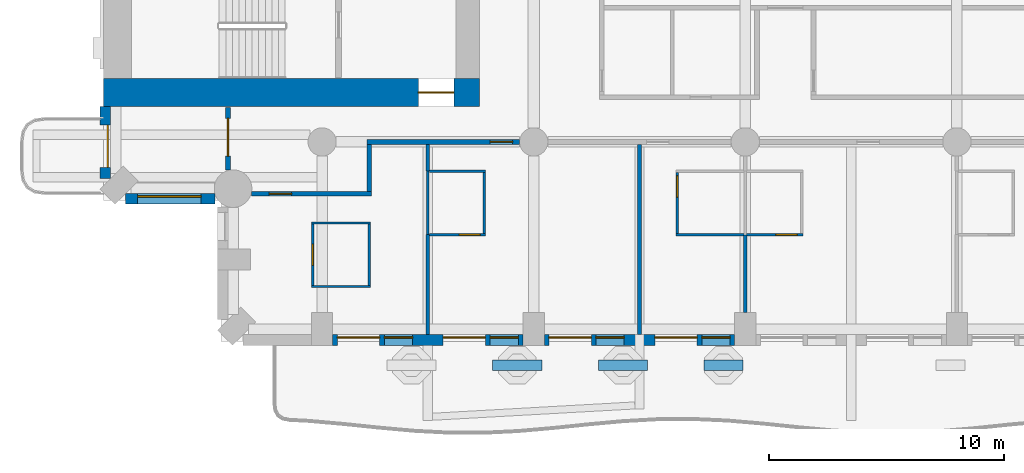
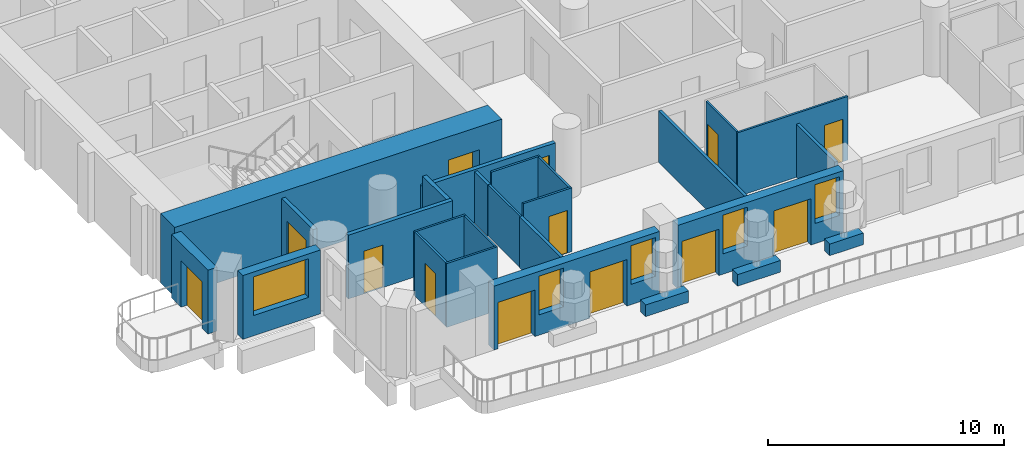
# One storey, part 3 of 20: 26 walls, 13 doors, 5 windows, 18 openings.
"""IFC4 building model written with IfcOpenShell, lengths in metres."""

from ifc_helpers import new_model, si_unit, direction, frame, frame_2d, origin, place, context, subcontext, project, spatial, rectangle, extrude, material, layer, layer_set, type_object, element, fill, save


model = new_model("IFC4")

# Units and contexts
model_context = context("Model", 3, precision=1e-05, world=origin(), true_north=direction((0.0, 1.0)))
body_context = subcontext(model_context, "Body", "Model", "MODEL_VIEW")
ifc_project = project(units=[si_unit("LENGTHUNIT", "METRE"), si_unit("AREAUNIT", "SQUARE_METRE"), si_unit("VOLUMEUNIT", "CUBIC_METRE"), si_unit("PLANEANGLEUNIT", "RADIAN"), si_unit("MASSUNIT", "GRAM", prefix="KILO")], contexts=[model_context])

# Site, building, storey
site_placement = place(None, origin())
site = spatial("IfcSite", under=ifc_project, at=site_placement, CompositionType="ELEMENT")
building_placement = place(site_placement, origin())
building = spatial("IfcBuilding", under=site, at=building_placement, Name="Cypress Arch Tower", CompositionType="ELEMENT")
storey_placement = place(building_placement, frame((0.0, 0.0, 87.89990234375)))
storey = spatial("IfcBuildingStorey", under=building, at=storey_placement, Name="L16", CompositionType="ELEMENT", Elevation=87.89990234375)

# Walls
ifc_material_1 = material(Name="Concrete C40/50, waterproofed", Category="concrete")
ifc_layer_1 = layer(ifc_material_1, 0.449951171875)
ifc_layer_set_1 = layer_set([ifc_layer_1], Name="Balcony planter wall PW450")
wall_type_1 = type_object("IfcWallType", Name="Balcony planter wall PW450", PredefinedType="SOLIDWALL", material=ifc_layer_set_1)
for number, where, z_axis, x_axis, name in (
    (1, (-13.449951171875, -27.0, 0.0), (0.0, 0.0, 1.0), (1.0, 0.0, 0.0), "Balcony planter wall L16-A03.2"),
    (2, (-8.949951171875, -27.0, 0.0), (0.0, 0.0, 1.0), (1.0, 0.0, 0.0), "Balcony planter wall L16-A03.3"),
):
    element("IfcWall", number, at=place(storey_placement, frame(where, z_axis=z_axis, x_axis=x_axis)), inside=storey, type_object=wall_type_1, Name=name, PredefinedType="SOLIDWALL", context=body_context, shape_type="SweptSolid", body=[
        extrude(rectangle(XDim=2.099853515625, YDim=0.449951171875, at=frame_2d((1.0498046875, 0.0))), origin(), (0.0, 0.0, 1.0), 0.60009765625),
    ])
wall_1_placement = place(storey_placement, frame((-4.449951171875, -27.0, 0.0), z_axis=(0.0, 0.0, 1.0), x_axis=(1.0, 0.0, 0.0)))
element("IfcWall", 3, at=wall_1_placement, inside=storey, type_object=wall_type_1, Name="Balcony planter wall L16-A03.4", PredefinedType="SOLIDWALL", context=body_context, shape_type="SweptSolid", body=[
    extrude(rectangle(XDim=1.64990234375, YDim=0.449951171875, at=frame_2d((0.824951171875, 0.0))), origin(), (0.0, 0.0, 1.0), 0.60009765625),
])

# Wall, opening, door
ifc_material_2 = material(Name="Brick (red buff blend)", Category="masonry")
ifc_layer_2 = layer(ifc_material_2, 0.449951171875)
ifc_layer_set_2 = layer_set([ifc_layer_2], Name="Brick pier and spandrel wall BW450")
wall_type_2 = type_object("IfcWallType", Name="Brick pier and spandrel wall BW450", PredefinedType="SOLIDWALL", material=ifc_layer_set_2)
wall_2_placement = place(storey_placement, frame((-29.925048828125, -16.0, 0.0), z_axis=(0.0, 0.0, 1.0), x_axis=(0.0, -1.0, 0.0)))
wall_2 = element("IfcWall", 4, at=wall_2_placement, inside=storey, type_object=wall_type_2, Name="Brick wall L16 A00.0.1", PredefinedType="SOLIDWALL", context=body_context, shape_type="SweptSolid", body=[
    extrude(rectangle(XDim=3.063720703125, YDim=0.449951171875, at=frame_2d((1.53173828125, 0.0))), origin(), (0.0, 0.0, 1.0), 3.300048828125),
])
opening_1_placement = place(wall_2_placement, frame((0.78173828125, 0.0, 0.0)))
opening_1 = element("IfcOpeningElement", 5, at=opening_1_placement, cuts=wall_2, Name="Opening D-L16-A00.0.1.9", PredefinedType="OPENING", context=body_context, shape_type="SweptSolid", body=[
    extrude(rectangle(XDim=1.800048828125, YDim=2.39990234375, at=frame_2d((0.89990234375, 1.199951171875))), frame((0.0, 0.23486328125, 0.0), z_axis=(0.0, -1.0, 0.0), x_axis=(1.0, 0.0, 0.0)), (0.0, 0.0, 1.0), 0.469970703125),
])
ifc_material_3 = material(Name="Anodised aluminium, bronze finish, laminated low-emissivity double glazing, large-missile impact rated", Category="aluminium")
door_type_1 = type_object("IfcDoorType", Name="Balcony sliding door 1800x2400", OperationType="SLIDING_TO_LEFT", PredefinedType="DOOR", material=ifc_material_3)
door_1_placement = place(opening_1_placement, origin())
door_1 = element("IfcDoor", 6, at=door_1_placement, inside=storey, type_object=door_type_1, Name="Balcony door L16 A00.0.1.9", OperationType="SLIDING_TO_LEFT", OverallHeight=2.39990234375, OverallWidth=1.800048828125, PredefinedType="DOOR", context=body_context, shape_type="SweptSolid", body=[
    extrude(rectangle(XDim=1.800048828125, YDim=2.39990234375, at=frame_2d((0.89990234375, 1.199951171875))), frame((0.0, 0.1298828125, 0.0), z_axis=(0.0, -1.0, 0.0), x_axis=(1.0, 0.0, 0.0)), (0.0, 0.0, 1.0), 0.050048828125),
])
fill(opening_1, door_1)

# Wall, opening, window
wall_3_placement = place(storey_placement, frame((-29.063720703125, -19.925048828125, 0.0), z_axis=(0.0, 0.0, 1.0), x_axis=(1.0, 0.0, 0.0)))
wall_3 = element("IfcWall", 7, at=wall_3_placement, inside=storey, type_object=wall_type_2, Name="Brick wall L16 A01.0", PredefinedType="SOLIDWALL", context=body_context, shape_type="SweptSolid", body=[
    extrude(rectangle(XDim=3.80517578125, YDim=0.449951171875, at=frame_2d((1.902587890625, 0.0))), origin(), (0.0, 0.0, 1.0), 3.300048828125),
])
opening_2_placement = place(wall_3_placement, frame((0.513671875, 0.0, 1.050048828125)))
opening_2 = element("IfcOpeningElement", 8, at=opening_2_placement, cuts=wall_3, Name="Opening W270H", PredefinedType="OPENING", context=body_context, shape_type="SweptSolid", body=[
    extrude(rectangle(XDim=2.699951171875, YDim=2.0, at=frame_2d((1.35009765625, 1.0))), frame((0.0, 0.23486328125, 0.0), z_axis=(0.0, -1.0, 0.0), x_axis=(1.0, 0.0, 0.0)), (0.0, 0.0, 1.0), 0.469970703125),
])
ifc_material_4 = material(Name="Anodised aluminium, bronze finish, clear low-emissivity double glazing", Category="aluminium")
window_type_1 = type_object("IfcWindowType", Name="Window Hotel 2700x2000", PartitioningType="SINGLE_PANEL", PredefinedType="WINDOW", material=ifc_material_4)
window_1_placement = place(opening_2_placement, origin())
window_1 = element("IfcWindow", 9, at=window_1_placement, inside=storey, type_object=window_type_1, Name="Window L16 A01.0.1", OverallHeight=2.0, OverallWidth=2.699951171875, PartitioningType="SINGLE_PANEL", PredefinedType="WINDOW", context=body_context, shape_type="SweptSolid", body=[
    extrude(rectangle(XDim=2.699951171875, YDim=2.0, at=frame_2d((1.35009765625, 1.0))), frame((0.0, 0.135009765625, 0.0), z_axis=(0.0, -1.0, 0.0), x_axis=(1.0, 0.0, 0.0)), (0.0, 0.0, 1.0), 0.06005859375),
])
fill(opening_2, window_1)

# Wall, openings, doors, windows
wall_4_placement = place(storey_placement, frame((-20.25, -25.925048828125, 0.0), z_axis=(0.0, 0.0, 1.0), x_axis=(1.0, 0.0, 0.0)))
wall_4 = element("IfcWall", 10, at=wall_4_placement, inside=storey, type_object=wall_type_2, Name="Brick wall L16 A03.1", PredefinedType="SOLIDWALL", context=body_context, shape_type="SweptSolid", body=[
    extrude(rectangle(XDim=8.10009765625, YDim=0.449951171875, at=frame_2d((4.050048828125, 0.0))), origin(), (0.0, 0.0, 1.0), 3.300048828125),
])
opening_3_placement = place(wall_4_placement, frame((0.199951171875, 0.0, 0.0)))
opening_3 = element("IfcOpeningElement", 11, at=opening_3_placement, cuts=wall_4, Name="Opening D-L16-A03.1.1", PredefinedType="OPENING", context=body_context, shape_type="SweptSolid", body=[
    extrude(rectangle(XDim=1.800048828125, YDim=2.39990234375, at=frame_2d((0.89990234375, 1.199951171875))), frame((0.0, 0.23486328125, 0.0), z_axis=(0.0, -1.0, 0.0), x_axis=(1.0, 0.0, 0.0)), (0.0, 0.0, 1.0), 0.469970703125),
])
opening_4_placement = place(wall_4_placement, frame((2.199951171875, 0.0, 1.050048828125)))
opening_4 = element("IfcOpeningElement", 12, at=opening_4_placement, cuts=wall_4, Name="Opening W120HD", PredefinedType="OPENING", context=body_context, shape_type="SweptSolid", body=[
    extrude(rectangle(XDim=1.199951171875, YDim=2.0, at=frame_2d((0.60009765625, 1.0))), frame((0.0, 0.23486328125, 0.0), z_axis=(0.0, -1.0, 0.0), x_axis=(1.0, 0.0, 0.0)), (0.0, 0.0, 1.0), 0.469970703125),
])
opening_5_placement = place(wall_4_placement, frame((4.699951171875, 0.0, 0.0)))
opening_5 = element("IfcOpeningElement", 13, at=opening_5_placement, cuts=wall_4, Name="Opening D-L16-A03.1.2", PredefinedType="OPENING", context=body_context, shape_type="SweptSolid", body=[
    extrude(rectangle(XDim=1.800048828125, YDim=2.39990234375, at=frame_2d((0.89990234375, 1.199951171875))), frame((0.0, 0.23486328125, 0.0), z_axis=(0.0, -1.0, 0.0), x_axis=(1.0, 0.0, 0.0)), (0.0, 0.0, 1.0), 0.469970703125),
])
opening_6_placement = place(wall_4_placement, frame((6.699951171875, 0.0, 1.050048828125)))
opening_6 = element("IfcOpeningElement", 14, at=opening_6_placement, cuts=wall_4, Name="Opening W120HD", PredefinedType="OPENING", context=body_context, shape_type="SweptSolid", body=[
    extrude(rectangle(XDim=1.199951171875, YDim=2.0, at=frame_2d((0.60009765625, 1.0))), frame((0.0, 0.23486328125, 0.0), z_axis=(0.0, -1.0, 0.0), x_axis=(1.0, 0.0, 0.0)), (0.0, 0.0, 1.0), 0.469970703125),
])
door_2_placement = place(opening_3_placement, origin())
door_2 = element("IfcDoor", 15, at=door_2_placement, inside=storey, type_object=door_type_1, Name="Balcony door L16 A03.1.1", OperationType="SLIDING_TO_LEFT", OverallHeight=2.39990234375, OverallWidth=1.800048828125, PredefinedType="DOOR", context=body_context, shape_type="SweptSolid", body=[
    extrude(rectangle(XDim=1.800048828125, YDim=2.39990234375, at=frame_2d((0.89990234375, 1.199951171875))), frame((0.0, 0.1298828125, 0.0), z_axis=(0.0, -1.0, 0.0), x_axis=(1.0, 0.0, 0.0)), (0.0, 0.0, 1.0), 0.050048828125),
])
fill(opening_3, door_2)
door_3_placement = place(opening_5_placement, origin())
door_3 = element("IfcDoor", 16, at=door_3_placement, inside=storey, type_object=door_type_1, Name="Balcony door L16 A03.1.2", OperationType="SLIDING_TO_LEFT", OverallHeight=2.39990234375, OverallWidth=1.800048828125, PredefinedType="DOOR", context=body_context, shape_type="SweptSolid", body=[
    extrude(rectangle(XDim=1.800048828125, YDim=2.39990234375, at=frame_2d((0.89990234375, 1.199951171875))), frame((0.0, 0.1298828125, 0.0), z_axis=(0.0, -1.0, 0.0), x_axis=(1.0, 0.0, 0.0)), (0.0, 0.0, 1.0), 0.050048828125),
])
fill(opening_5, door_3)
ifc_material_5 = material(Name="Anodised aluminium, bronze finish, laminated low-emissivity double glazing, large-missile impact rated", Category="aluminium")
window_type_2 = type_object("IfcWindowType", Name="Window Hotel 1200x2000 debris-rated", PartitioningType="SINGLE_PANEL", PredefinedType="WINDOW", material=ifc_material_5)
window_2_placement = place(opening_4_placement, origin())
window_2 = element("IfcWindow", 17, at=window_2_placement, inside=storey, type_object=window_type_2, Name="Window L16 A03.1.1", OverallHeight=2.0, OverallWidth=1.199951171875, PartitioningType="SINGLE_PANEL", PredefinedType="WINDOW", context=body_context, shape_type="SweptSolid", body=[
    extrude(rectangle(XDim=1.199951171875, YDim=2.0, at=frame_2d((0.60009765625, 1.0))), frame((0.0, 0.135009765625, 0.0), z_axis=(0.0, -1.0, 0.0), x_axis=(1.0, 0.0, 0.0)), (0.0, 0.0, 1.0), 0.06005859375),
])
fill(opening_4, window_2)
window_3_placement = place(opening_6_placement, origin())
window_3 = element("IfcWindow", 18, at=window_3_placement, inside=storey, type_object=window_type_2, Name="Window L16 A03.1.2", OverallHeight=2.0, OverallWidth=1.199951171875, PartitioningType="SINGLE_PANEL", PredefinedType="WINDOW", context=body_context, shape_type="SweptSolid", body=[
    extrude(rectangle(XDim=1.199951171875, YDim=2.0, at=frame_2d((0.60009765625, 1.0))), frame((0.0, 0.135009765625, 0.0), z_axis=(0.0, -1.0, 0.0), x_axis=(1.0, 0.0, 0.0)), (0.0, 0.0, 1.0), 0.06005859375),
])
fill(opening_6, window_3)

wall_5_placement = place(storey_placement, frame((-11.25, -25.925048828125, 0.0), z_axis=(0.0, 0.0, 1.0), x_axis=(1.0, 0.0, 0.0)))
wall_5 = element("IfcWall", 19, at=wall_5_placement, inside=storey, type_object=wall_type_2, Name="Brick wall L16 A03.2", PredefinedType="SOLIDWALL", context=body_context, shape_type="SweptSolid", body=[
    extrude(rectangle(XDim=8.10009765625, YDim=0.449951171875, at=frame_2d((4.050048828125, 0.0))), origin(), (0.0, 0.0, 1.0), 3.300048828125),
])
opening_7_placement = place(wall_5_placement, frame((0.199951171875, 0.0, 0.0)))
opening_7 = element("IfcOpeningElement", 20, at=opening_7_placement, cuts=wall_5, Name="Opening D-L16-A03.2.1", PredefinedType="OPENING", context=body_context, shape_type="SweptSolid", body=[
    extrude(rectangle(XDim=1.800048828125, YDim=2.39990234375, at=frame_2d((0.89990234375, 1.199951171875))), frame((0.0, 0.23486328125, 0.0), z_axis=(0.0, -1.0, 0.0), x_axis=(1.0, 0.0, 0.0)), (0.0, 0.0, 1.0), 0.469970703125),
])
opening_8_placement = place(wall_5_placement, frame((2.199951171875, 0.0, 1.050048828125)))
opening_8 = element("IfcOpeningElement", 21, at=opening_8_placement, cuts=wall_5, Name="Opening W120HD", PredefinedType="OPENING", context=body_context, shape_type="SweptSolid", body=[
    extrude(rectangle(XDim=1.199951171875, YDim=2.0, at=frame_2d((0.60009765625, 1.0))), frame((0.0, 0.23486328125, 0.0), z_axis=(0.0, -1.0, 0.0), x_axis=(1.0, 0.0, 0.0)), (0.0, 0.0, 1.0), 0.469970703125),
])
opening_9_placement = place(wall_5_placement, frame((4.699951171875, 0.0, 0.0)))
opening_9 = element("IfcOpeningElement", 22, at=opening_9_placement, cuts=wall_5, Name="Opening D-L16-A03.2.2", PredefinedType="OPENING", context=body_context, shape_type="SweptSolid", body=[
    extrude(rectangle(XDim=1.800048828125, YDim=2.39990234375, at=frame_2d((0.89990234375, 1.199951171875))), frame((0.0, 0.23486328125, 0.0), z_axis=(0.0, -1.0, 0.0), x_axis=(1.0, 0.0, 0.0)), (0.0, 0.0, 1.0), 0.469970703125),
])
opening_10_placement = place(wall_5_placement, frame((6.699951171875, 0.0, 1.050048828125)))
opening_10 = element("IfcOpeningElement", 23, at=opening_10_placement, cuts=wall_5, Name="Opening W120HD", PredefinedType="OPENING", context=body_context, shape_type="SweptSolid", body=[
    extrude(rectangle(XDim=1.199951171875, YDim=2.0, at=frame_2d((0.60009765625, 1.0))), frame((0.0, 0.23486328125, 0.0), z_axis=(0.0, -1.0, 0.0), x_axis=(1.0, 0.0, 0.0)), (0.0, 0.0, 1.0), 0.469970703125),
])
door_4_placement = place(opening_7_placement, origin())
door_4 = element("IfcDoor", 24, at=door_4_placement, inside=storey, type_object=door_type_1, Name="Balcony door L16 A03.2.1", OperationType="SLIDING_TO_LEFT", OverallHeight=2.39990234375, OverallWidth=1.800048828125, PredefinedType="DOOR", context=body_context, shape_type="SweptSolid", body=[
    extrude(rectangle(XDim=1.800048828125, YDim=2.39990234375, at=frame_2d((0.89990234375, 1.199951171875))), frame((0.0, 0.1298828125, 0.0), z_axis=(0.0, -1.0, 0.0), x_axis=(1.0, 0.0, 0.0)), (0.0, 0.0, 1.0), 0.050048828125),
])
fill(opening_7, door_4)
door_5_placement = place(opening_9_placement, origin())
door_5 = element("IfcDoor", 25, at=door_5_placement, inside=storey, type_object=door_type_1, Name="Balcony door L16 A03.2.2", OperationType="SLIDING_TO_LEFT", OverallHeight=2.39990234375, OverallWidth=1.800048828125, PredefinedType="DOOR", context=body_context, shape_type="SweptSolid", body=[
    extrude(rectangle(XDim=1.800048828125, YDim=2.39990234375, at=frame_2d((0.89990234375, 1.199951171875))), frame((0.0, 0.1298828125, 0.0), z_axis=(0.0, -1.0, 0.0), x_axis=(1.0, 0.0, 0.0)), (0.0, 0.0, 1.0), 0.050048828125),
])
fill(opening_9, door_5)
window_4_placement = place(opening_8_placement, origin())
window_4 = element("IfcWindow", 26, at=window_4_placement, inside=storey, type_object=window_type_2, Name="Window L16 A03.2.1", OverallHeight=2.0, OverallWidth=1.199951171875, PartitioningType="SINGLE_PANEL", PredefinedType="WINDOW", context=body_context, shape_type="SweptSolid", body=[
    extrude(rectangle(XDim=1.199951171875, YDim=2.0, at=frame_2d((0.60009765625, 1.0))), frame((0.0, 0.135009765625, 0.0), z_axis=(0.0, -1.0, 0.0), x_axis=(1.0, 0.0, 0.0)), (0.0, 0.0, 1.0), 0.06005859375),
])
fill(opening_8, window_4)
window_5_placement = place(opening_10_placement, origin())
window_5 = element("IfcWindow", 27, at=window_5_placement, inside=storey, type_object=window_type_2, Name="Window L16 A03.2.2", OverallHeight=2.0, OverallWidth=1.199951171875, PartitioningType="SINGLE_PANEL", PredefinedType="WINDOW", context=body_context, shape_type="SweptSolid", body=[
    extrude(rectangle(XDim=1.199951171875, YDim=2.0, at=frame_2d((0.60009765625, 1.0))), frame((0.0, 0.135009765625, 0.0), z_axis=(0.0, -1.0, 0.0), x_axis=(1.0, 0.0, 0.0)), (0.0, 0.0, 1.0), 0.06005859375),
])
fill(opening_10, window_5)

# Wall, opening, door
ifc_material_6 = material(Name="Concrete C80/95", Category="concrete")
ifc_layer_3 = layer(ifc_material_6, 1.199951171875)
ifc_layer_set_3 = layer_set([ifc_layer_3], Name="Core wall CW1200 C80/95")
wall_type_3 = type_object("IfcWallType", Name="Core wall CW1200 C80/95", PredefinedType="SHEAR", material=ifc_layer_set_3)
wall_6_placement = place(storey_placement, frame((-30.0, -15.39990234375, 0.0), z_axis=(0.0, 0.0, 1.0), x_axis=(1.0, 0.0, 0.0)))
wall_6 = element("IfcWall", 28, at=wall_6_placement, inside=storey, type_object=wall_type_3, Name="Core wall", PredefinedType="SHEAR", context=body_context, shape_type="SweptSolid", body=[
    extrude(rectangle(XDim=16.0, YDim=1.199951171875, at=frame_2d((8.0, 0.0))), origin(), (0.0, 0.0, 1.0), 3.60009765625),
])
opening_11_placement = place(wall_6_placement, frame((13.39990234375, 0.0, 0.0)))
opening_11 = element("IfcOpeningElement", 29, at=opening_11_placement, cuts=wall_6, Name="Opening D07", PredefinedType="OPENING", context=body_context, shape_type="SweptSolid", body=[
    extrude(rectangle(XDim=1.5, YDim=2.39990234375, at=frame_2d((0.75, 1.199951171875))), frame((0.0, 0.60986328125, 0.0), z_axis=(0.0, -1.0, 0.0), x_axis=(1.0, 0.0, 0.0)), (0.0, 0.0, 1.0), 1.219970703125),
])
ifc_material_7 = material(Name="Steel framed glazed door, fire resisting", Category="steel")
door_type_2 = type_object("IfcDoorType", Name="Lobby door D07 1500x2400", OperationType="DOUBLE_DOOR_SINGLE_SWING", PredefinedType="DOOR", material=ifc_material_7)
door_6_placement = place(opening_11_placement, origin())
door_6 = element("IfcDoor", 30, at=door_6_placement, inside=storey, type_object=door_type_2, Name="Lobby door", OperationType="DOUBLE_DOOR_SINGLE_SWING", OverallHeight=2.39990234375, OverallWidth=1.5, PredefinedType="DOOR", context=body_context, shape_type="SweptSolid", body=[
    extrude(rectangle(XDim=1.5, YDim=2.39990234375, at=frame_2d((0.75, 1.199951171875))), frame((0.0, 0.02490234375, 0.0), z_axis=(0.0, -1.0, 0.0), x_axis=(1.0, 0.0, 0.0)), (0.0, 0.0, 1.0), 0.050048828125),
])
fill(opening_11, door_6)

ifc_material_8 = material(Name="Concrete blockwork, plastered, rated", Category="masonry")
ifc_layer_4 = layer(ifc_material_8, 0.199951171875)
ifc_layer_set_4 = layer_set([ifc_layer_4], Name="Corridor wall FW200")
wall_type_4 = type_object("IfcWallType", Name="Corridor wall FW200", PredefinedType="PARTITIONING", material=ifc_layer_set_4)
wall_7_placement = place(storey_placement, frame((-24.699951171875, -18.7001953125, 0.0), z_axis=(0.0, 0.0, 1.0), x_axis=(0.0, 1.0, 0.0)))
wall_7 = element("IfcWall", 31, at=wall_7_placement, inside=storey, type_object=wall_type_4, Name="Corridor wall", PredefinedType="PARTITIONING", context=body_context, shape_type="SweptSolid", body=[
    extrude(rectangle(XDim=2.670166015625, YDim=0.199951171875, at=frame_2d((1.3349609375, 0.0))), origin(), (0.0, 0.0, 1.0), 3.300048828125),
])
opening_12_placement = place(wall_7_placement, frame((0.60009765625, 0.0, 0.0)))
opening_12 = element("IfcOpeningElement", 32, at=opening_12_placement, cuts=wall_7, Name="Opening D10", PredefinedType="OPENING", context=body_context, shape_type="SweptSolid", body=[
    extrude(rectangle(XDim=1.60009765625, YDim=2.39990234375, at=frame_2d((0.800048828125, 1.199951171875))), frame((0.0, 0.10986328125, 0.0), z_axis=(0.0, -1.0, 0.0), x_axis=(1.0, 0.0, 0.0)), (0.0, 0.0, 1.0), 0.219970703125),
])
ifc_material_9 = material(Name="Black aluminium glazed door", Category="aluminium")
door_type_3 = type_object("IfcDoorType", Name="Amenity door D10 1600x2400", OperationType="DOUBLE_DOOR_SINGLE_SWING", PredefinedType="DOOR", material=ifc_material_9)
door_7_placement = place(opening_12_placement, origin())
door_7 = element("IfcDoor", 33, at=door_7_placement, inside=storey, type_object=door_type_3, Name="Amenity door", OperationType="DOUBLE_DOOR_SINGLE_SWING", OverallHeight=2.39990234375, OverallWidth=1.60009765625, PredefinedType="DOOR", context=body_context, shape_type="SweptSolid", body=[
    extrude(rectangle(XDim=1.60009765625, YDim=2.39990234375, at=frame_2d((0.800048828125, 1.199951171875))), frame((0.0, 0.02490234375, 0.0), z_axis=(0.0, -1.0, 0.0), x_axis=(1.0, 0.0, 0.0)), (0.0, 0.0, 1.0), 0.050048828125),
])
fill(opening_12, door_7)

wall_8_placement = place(storey_placement, frame((-23.7001953125, -19.699951171875, 0.0), z_axis=(0.0, 0.0, 1.0), x_axis=(1.0, 0.0, 0.0)))
wall_8 = element("IfcWall", 34, at=wall_8_placement, inside=storey, type_object=wall_type_4, Name="Corridor wall", PredefinedType="PARTITIONING", context=body_context, shape_type="SweptSolid", body=[
    extrude(rectangle(XDim=5.10009765625, YDim=0.199951171875, at=frame_2d((2.550048828125, 0.0))), origin(), (0.0, 0.0, 1.0), 3.300048828125),
])
opening_13_placement = place(wall_8_placement, frame((0.75, 0.0, 0.0)))
opening_13 = element("IfcOpeningElement", 35, at=opening_13_placement, cuts=wall_8, Name="Opening D02", PredefinedType="OPENING", context=body_context, shape_type="SweptSolid", body=[
    extrude(rectangle(XDim=0.949951171875, YDim=2.199951171875, at=frame_2d((0.47509765625, 1.10009765625))), frame((0.0, 0.10986328125, 0.0), z_axis=(0.0, -1.0, 0.0), x_axis=(1.0, 0.0, 0.0)), (0.0, 0.0, 1.0), 0.219970703125),
])
ifc_material_10 = material(Name="Timber flush door, fire resisting", Category="wood")
door_type_4 = type_object("IfcDoorType", Name="Room door D02 950x2200", OperationType="SINGLE_SWING_LEFT", PredefinedType="DOOR", material=ifc_material_10)
door_8_placement = place(opening_13_placement, origin())
door_8 = element("IfcDoor", 36, at=door_8_placement, inside=storey, type_object=door_type_4, Name="Room door", OperationType="SINGLE_SWING_RIGHT", OverallHeight=2.199951171875, OverallWidth=0.949951171875, PredefinedType="DOOR", context=body_context, shape_type="SweptSolid", body=[
    extrude(rectangle(XDim=0.949951171875, YDim=2.199951171875, at=frame_2d((0.47509765625, 1.10009765625))), frame((0.0, 0.02490234375, 0.0), z_axis=(0.0, -1.0, 0.0), x_axis=(1.0, 0.0, 0.0)), (0.0, 0.0, 1.0), 0.050048828125),
])
fill(opening_13, door_8)

# Wall
wall_9_placement = place(storey_placement, frame((-18.699951171875, -19.60009765625, 0.0), z_axis=(0.0, 0.0, 1.0), x_axis=(0.0, 1.0, 0.0)))
element("IfcWall", 37, at=wall_9_placement, inside=storey, type_object=wall_type_4, Name="Corridor wall", PredefinedType="PARTITIONING", context=body_context, shape_type="SweptSolid", body=[
    extrude(rectangle(XDim=2.0, YDim=0.199951171875, at=frame_2d((1.0, 0.0))), origin(), (0.0, 0.0, 1.0), 3.300048828125),
])

# Wall, opening, door
wall_10_placement = place(storey_placement, frame((-18.800048828125, -17.5, 0.0), z_axis=(0.0, 0.0, 1.0), x_axis=(1.0, 0.0, 0.0)))
wall_10 = element("IfcWall", 38, at=wall_10_placement, inside=storey, type_object=wall_type_4, Name="Corridor wall", PredefinedType="PARTITIONING", context=body_context, shape_type="SweptSolid", body=[
    extrude(rectangle(XDim=6.5, YDim=0.199951171875, at=frame_2d((3.25, 0.0))), origin(), (0.0, 0.0, 1.0), 2.75),
])
opening_14_placement = place(wall_10_placement, frame((5.25, 0.0, 0.0)))
opening_14 = element("IfcOpeningElement", 39, at=opening_14_placement, cuts=wall_10, Name="Opening D02", PredefinedType="OPENING", context=body_context, shape_type="SweptSolid", body=[
    extrude(rectangle(XDim=0.949951171875, YDim=2.199951171875, at=frame_2d((0.47509765625, 1.10009765625))), frame((0.0, 0.10986328125, 0.0), z_axis=(0.0, -1.0, 0.0), x_axis=(1.0, 0.0, 0.0)), (0.0, 0.0, 1.0), 0.219970703125),
])
door_9_placement = place(opening_14_placement, origin())
door_9 = element("IfcDoor", 40, at=door_9_placement, inside=storey, type_object=door_type_4, Name="Room door", OperationType="SINGLE_SWING_LEFT", OverallHeight=2.199951171875, OverallWidth=0.949951171875, PredefinedType="DOOR", context=body_context, shape_type="SweptSolid", body=[
    extrude(rectangle(XDim=0.949951171875, YDim=2.199951171875, at=frame_2d((0.47509765625, 1.10009765625))), frame((0.0, 0.02490234375, 0.0), z_axis=(0.0, -1.0, 0.0), x_axis=(1.0, 0.0, 0.0)), (0.0, 0.0, 1.0), 0.050048828125),
])
fill(opening_14, door_9)

# Walls
ifc_material_11 = material(Name="Blockwork, plastered both sides", Category="masonry")
ifc_layer_5 = layer(ifc_material_11, 0.14990234375)
ifc_layer_set_5 = layer_set([ifc_layer_5], Name="Partition PW150")
wall_type_5 = type_object("IfcWallType", Name="Partition PW150", PredefinedType="PARTITIONING", material=ifc_layer_set_5)
wall_11_placement = place(storey_placement, frame((-16.199951171875, -25.699951171875, 0.0), z_axis=(0.0, 0.0, 1.0), x_axis=(0.0, 1.0, 0.0)))
element("IfcWall", 41, at=wall_11_placement, inside=storey, type_object=wall_type_5, Name="Partition", PredefinedType="PARTITIONING", context=body_context, shape_type="SweptSolid", body=[
    extrude(rectangle(XDim=4.27001953125, YDim=0.14990234375, at=frame_2d((2.135009765625, 0.0))), origin(), (0.0, 0.0, 1.0), 2.650146484375),
])
wall_12_placement = place(storey_placement, frame((-16.199951171875, -18.72998046875, 0.0), z_axis=(0.0, 0.0, 1.0), x_axis=(0.0, 1.0, 0.0)))
element("IfcWall", 42, at=wall_12_placement, inside=storey, type_object=wall_type_5, Name="Partition", PredefinedType="PARTITIONING", context=body_context, shape_type="SweptSolid", body=[
    extrude(rectangle(XDim=1.1298828125, YDim=0.14990234375, at=frame_2d((0.56494140625, 0.0))), origin(), (0.0, 0.0, 1.0), 2.650146484375),
])
wall_13_placement = place(storey_placement, frame((-7.199951171875, -25.699951171875, 0.0), z_axis=(0.0, 0.0, 1.0), x_axis=(0.0, 1.0, 0.0)))
element("IfcWall", 43, at=wall_13_placement, inside=storey, type_object=wall_type_5, Name="Partition", PredefinedType="PARTITIONING", context=body_context, shape_type="SweptSolid", body=[
    extrude(rectangle(XDim=8.099853515625, YDim=0.14990234375, at=frame_2d((4.0498046875, 0.0))), origin(), (0.0, 0.0, 1.0), 2.650146484375),
])
wall_14_placement = place(storey_placement, frame((-2.699951171875, -24.75, 0.0), z_axis=(0.0, 0.0, 1.0), x_axis=(0.0, 1.0, 0.0)))
element("IfcWall", 44, at=wall_14_placement, inside=storey, type_object=wall_type_5, Name="Partition", PredefinedType="PARTITIONING", context=body_context, shape_type="SweptSolid", body=[
    extrude(rectangle(XDim=3.300048828125, YDim=0.14990234375, at=frame_2d((1.64990234375, 0.0))), origin(), (0.0, 0.0, 1.0), 2.75),
])

# Wall, opening, door
ifc_material_12 = material(Name="Moisture resistant board on steel studs, tiled", Category="steel")
ifc_layer_6 = layer(ifc_material_12, 0.10009765625)
ifc_layer_set_6 = layer_set([ifc_layer_6], Name="Wet wall PW100")
wall_type_6 = type_object("IfcWallType", Name="Wet wall PW100", PredefinedType="PARTITIONING", material=ifc_layer_set_6)
wall_15_placement = place(storey_placement, frame((-21.10009765625, -23.60009765625, 0.0), z_axis=(0.0, 0.0, 1.0), x_axis=(0.0, 1.0, 0.0)))
wall_15 = element("IfcWall", 45, at=wall_15_placement, inside=storey, type_object=wall_type_6, Name="Wet wall", PredefinedType="PARTITIONING", context=body_context, shape_type="SweptSolid", body=[
    extrude(rectangle(XDim=2.60009765625, YDim=0.10009765625, at=frame_2d((1.300048828125, 0.0))), origin(), (0.0, 0.0, 1.0), 3.300048828125),
])
opening_15_placement = place(wall_15_placement, frame((0.85009765625, 0.0, 0.0)))
opening_15 = element("IfcOpeningElement", 46, at=opening_15_placement, cuts=wall_15, Name="Opening D03", PredefinedType="OPENING", context=body_context, shape_type="SweptSolid", body=[
    extrude(rectangle(XDim=0.89990234375, YDim=2.199951171875, at=frame_2d((0.449951171875, 1.10009765625))), frame((0.0, 0.06005859375, 0.0), z_axis=(0.0, -1.0, 0.0), x_axis=(1.0, 0.0, 0.0)), (0.0, 0.0, 1.0), 0.1201171875),
])
ifc_material_13 = material(Name="Timber flush door, moisture resistant", Category="wood")
door_type_5 = type_object("IfcDoorType", Name="Bathroom door D03 900x2200", OperationType="SINGLE_SWING_LEFT", PredefinedType="DOOR", material=ifc_material_13)
door_10_placement = place(opening_15_placement, origin())
door_10 = element("IfcDoor", 47, at=door_10_placement, inside=storey, type_object=door_type_5, Name="Bathroom door", OperationType="SINGLE_SWING_LEFT", OverallHeight=2.199951171875, OverallWidth=0.89990234375, PredefinedType="DOOR", context=body_context, shape_type="SweptSolid", body=[
    extrude(rectangle(XDim=0.89990234375, YDim=2.199951171875, at=frame_2d((0.449951171875, 1.10009765625))), frame((0.0, 0.02490234375, 0.0), z_axis=(0.0, -1.0, 0.0), x_axis=(1.0, 0.0, 0.0)), (0.0, 0.0, 1.0), 0.050048828125),
])
fill(opening_15, door_10)

# Walls
for number, where, z_axis, x_axis, name in (
    (48, (-21.14990234375, -23.64990234375, 0.0), (0.0, 0.0, 1.0), (1.0, 0.0, 0.0), "Wet wall"),
    (49, (-21.14990234375, -20.949951171875, 0.0), (0.0, 0.0, 1.0), (1.0, 0.0, 0.0), "Wet wall"),
):
    element("IfcWall", number, at=place(storey_placement, frame(where, z_axis=z_axis, x_axis=x_axis)), inside=storey, type_object=wall_type_6, Name=name, PredefinedType="PARTITIONING", context=body_context, shape_type="SweptSolid", body=[
        extrude(rectangle(XDim=2.5, YDim=0.10009765625, at=frame_2d((1.25, 0.0))), origin(), (0.0, 0.0, 1.0), 3.300048828125),
    ])
wall_16_placement = place(storey_placement, frame((-18.699951171875, -23.60009765625, 0.0), z_axis=(0.0, 0.0, 1.0), x_axis=(0.0, 1.0, 0.0)))
element("IfcWall", 50, at=wall_16_placement, inside=storey, type_object=wall_type_6, Name="Wet wall", PredefinedType="PARTITIONING", context=body_context, shape_type="SweptSolid", body=[
    extrude(rectangle(XDim=2.60009765625, YDim=0.10009765625, at=frame_2d((1.300048828125, 0.0))), origin(), (0.0, 0.0, 1.0), 3.300048828125),
])
wall_17_placement = place(storey_placement, frame((-16.199951171875, -21.429931640625, 0.0), z_axis=(0.0, 0.0, 1.0), x_axis=(0.0, 1.0, 0.0)))
element("IfcWall", 51, at=wall_17_placement, inside=storey, type_object=wall_type_6, Name="Wet wall", PredefinedType="PARTITIONING", context=body_context, shape_type="SweptSolid", body=[
    extrude(rectangle(XDim=2.699951171875, YDim=0.10009765625, at=frame_2d((1.35009765625, 0.0))), origin(), (0.0, 0.0, 1.0), 2.650146484375),
])

# Wall, opening, door
wall_18_placement = place(storey_placement, frame((-16.125, -21.449951171875, 0.0), z_axis=(0.0, 0.0, 1.0), x_axis=(1.0, 0.0, 0.0)))
wall_18 = element("IfcWall", 52, at=wall_18_placement, inside=storey, type_object=wall_type_6, Name="Wet wall", PredefinedType="PARTITIONING", context=body_context, shape_type="SweptSolid", body=[
    extrude(rectangle(XDim=2.37109375, YDim=0.10009765625, at=frame_2d((1.185546875, 0.0))), origin(), (0.0, 0.0, 1.0), 3.300048828125),
])
opening_16_placement = place(wall_18_placement, frame((1.25, 0.0, 0.0)))
opening_16 = element("IfcOpeningElement", 53, at=opening_16_placement, cuts=wall_18, Name="Opening D03", PredefinedType="OPENING", context=body_context, shape_type="SweptSolid", body=[
    extrude(rectangle(XDim=0.89990234375, YDim=2.199951171875, at=frame_2d((0.449951171875, 1.10009765625))), frame((0.0, 0.06005859375, 0.0), z_axis=(0.0, -1.0, 0.0), x_axis=(1.0, 0.0, 0.0)), (0.0, 0.0, 1.0), 0.1201171875),
])
door_11_placement = place(opening_16_placement, origin())
door_11 = element("IfcDoor", 54, at=door_11_placement, inside=storey, type_object=door_type_5, Name="Bathroom door", OperationType="SINGLE_SWING_RIGHT", OverallHeight=2.199951171875, OverallWidth=0.89990234375, PredefinedType="DOOR", context=body_context, shape_type="SweptSolid", body=[
    extrude(rectangle(XDim=0.89990234375, YDim=2.199951171875, at=frame_2d((0.449951171875, 1.10009765625))), frame((0.0, 0.02490234375, 0.0), z_axis=(0.0, -1.0, 0.0), x_axis=(1.0, 0.0, 0.0)), (0.0, 0.0, 1.0), 0.050048828125),
])
fill(opening_16, door_11)

# Walls
wall_19_placement = place(storey_placement, frame((-16.125, -18.75, 0.0), z_axis=(0.0, 0.0, 1.0), x_axis=(1.0, 0.0, 0.0)))
element("IfcWall", 55, at=wall_19_placement, inside=storey, type_object=wall_type_6, Name="Wet wall", PredefinedType="PARTITIONING", context=body_context, shape_type="SweptSolid", body=[
    extrude(rectangle(XDim=2.37109375, YDim=0.10009765625, at=frame_2d((1.185546875, 0.0))), origin(), (0.0, 0.0, 1.0), 3.300048828125),
])
wall_20_placement = place(storey_placement, frame((-13.803955078125, -21.39990234375, 0.0), z_axis=(0.0, 0.0, 1.0), x_axis=(0.0, 1.0, 0.0)))
element("IfcWall", 56, at=wall_20_placement, inside=storey, type_object=wall_type_6, Name="Wet wall", PredefinedType="PARTITIONING", context=body_context, shape_type="SweptSolid", body=[
    extrude(rectangle(XDim=2.599853515625, YDim=0.10009765625, at=frame_2d((1.2998046875, 0.0))), origin(), (0.0, 0.0, 1.0), 3.300048828125),
])

# Wall, opening, door
wall_21_placement = place(storey_placement, frame((-5.595947265625, -21.39990234375, 0.0), z_axis=(0.0, 0.0, 1.0), x_axis=(0.0, 1.0, 0.0)))
wall_21 = element("IfcWall", 57, at=wall_21_placement, inside=storey, type_object=wall_type_6, Name="Wet wall", PredefinedType="PARTITIONING", context=body_context, shape_type="SweptSolid", body=[
    extrude(rectangle(XDim=2.599853515625, YDim=0.10009765625, at=frame_2d((1.2998046875, 0.0))), origin(), (0.0, 0.0, 1.0), 3.300048828125),
])
opening_17_placement = place(wall_21_placement, frame((1.550048828125, 0.0, 0.0)))
opening_17 = element("IfcOpeningElement", 58, at=opening_17_placement, cuts=wall_21, Name="Opening D03", PredefinedType="OPENING", context=body_context, shape_type="SweptSolid", body=[
    extrude(rectangle(XDim=0.89990234375, YDim=2.199951171875, at=frame_2d((0.449951171875, 1.10009765625))), frame((0.0, 0.06005859375, 0.0), z_axis=(0.0, -1.0, 0.0), x_axis=(1.0, 0.0, 0.0)), (0.0, 0.0, 1.0), 0.1201171875),
])
door_12_placement = place(opening_17_placement, origin())
door_12 = element("IfcDoor", 59, at=door_12_placement, inside=storey, type_object=door_type_5, Name="Bathroom door", OperationType="SINGLE_SWING_LEFT", OverallHeight=2.199951171875, OverallWidth=0.89990234375, PredefinedType="DOOR", context=body_context, shape_type="SweptSolid", body=[
    extrude(rectangle(XDim=0.89990234375, YDim=2.199951171875, at=frame_2d((0.449951171875, 1.10009765625))), frame((0.0, 0.02490234375, 0.0), z_axis=(0.0, -1.0, 0.0), x_axis=(1.0, 0.0, 0.0)), (0.0, 0.0, 1.0), 0.050048828125),
])
fill(opening_17, door_12)

wall_22_placement = place(storey_placement, frame((-5.64599609375, -21.449951171875, 0.0), z_axis=(0.0, 0.0, 1.0), x_axis=(1.0, 0.0, 0.0)))
wall_22 = element("IfcWall", 60, at=wall_22_placement, inside=storey, type_object=wall_type_6, Name="Wet wall", PredefinedType="PARTITIONING", context=body_context, shape_type="SweptSolid", body=[
    extrude(rectangle(XDim=5.39208984375, YDim=0.10009765625, at=frame_2d((2.696044921875, 0.0))), origin(), (0.0, 0.0, 1.0), 3.300048828125),
])
opening_18_placement = place(wall_22_placement, frame((4.25, 0.0, 0.0)))
opening_18 = element("IfcOpeningElement", 61, at=opening_18_placement, cuts=wall_22, Name="Opening D03", PredefinedType="OPENING", context=body_context, shape_type="SweptSolid", body=[
    extrude(rectangle(XDim=0.89990234375, YDim=2.199951171875, at=frame_2d((0.449951171875, 1.10009765625))), frame((0.0, 0.06005859375, 0.0), z_axis=(0.0, -1.0, 0.0), x_axis=(1.0, 0.0, 0.0)), (0.0, 0.0, 1.0), 0.1201171875),
])
door_13_placement = place(opening_18_placement, origin())
door_13 = element("IfcDoor", 62, at=door_13_placement, inside=storey, type_object=door_type_5, Name="Bathroom door", OperationType="SINGLE_SWING_RIGHT", OverallHeight=2.199951171875, OverallWidth=0.89990234375, PredefinedType="DOOR", context=body_context, shape_type="SweptSolid", body=[
    extrude(rectangle(XDim=0.89990234375, YDim=2.199951171875, at=frame_2d((0.449951171875, 1.10009765625))), frame((0.0, 0.02490234375, 0.0), z_axis=(0.0, -1.0, 0.0), x_axis=(1.0, 0.0, 0.0)), (0.0, 0.0, 1.0), 0.050048828125),
])
fill(opening_18, door_13)

save(model, "model.ifc")
